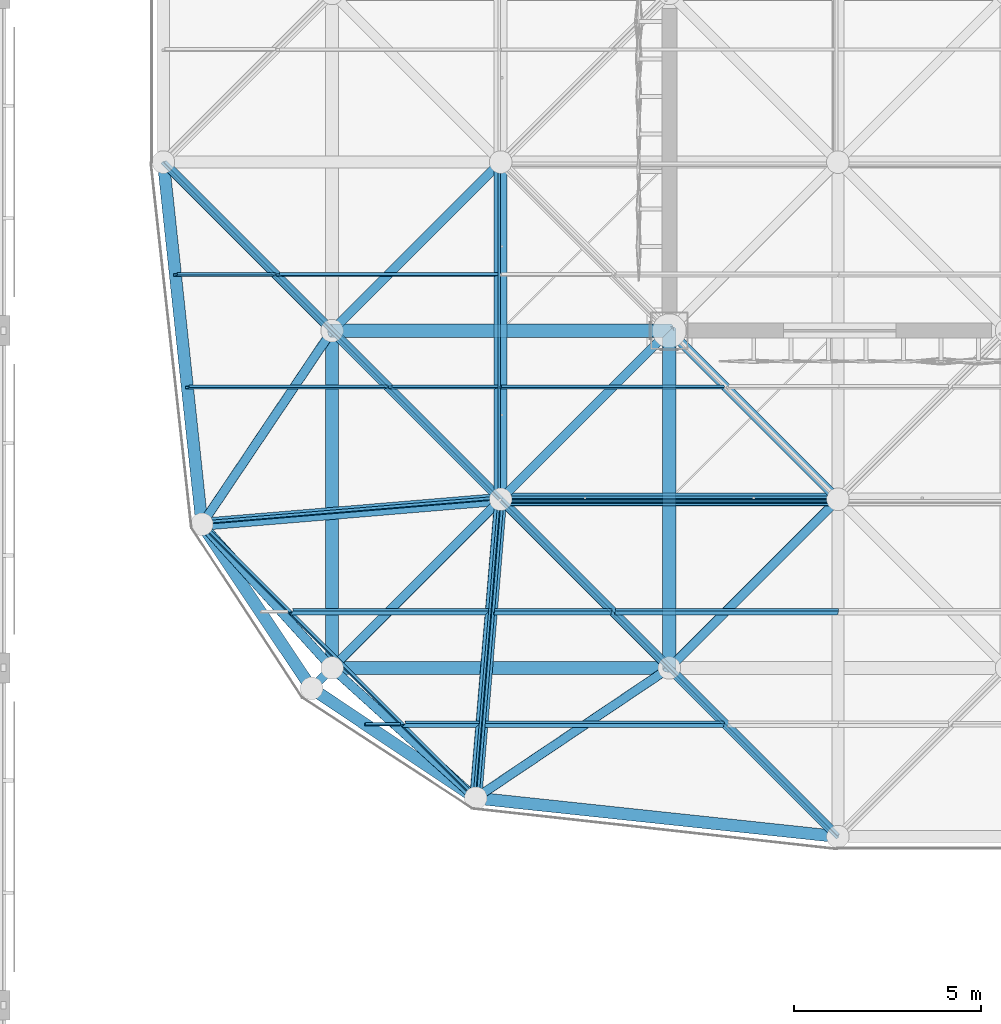
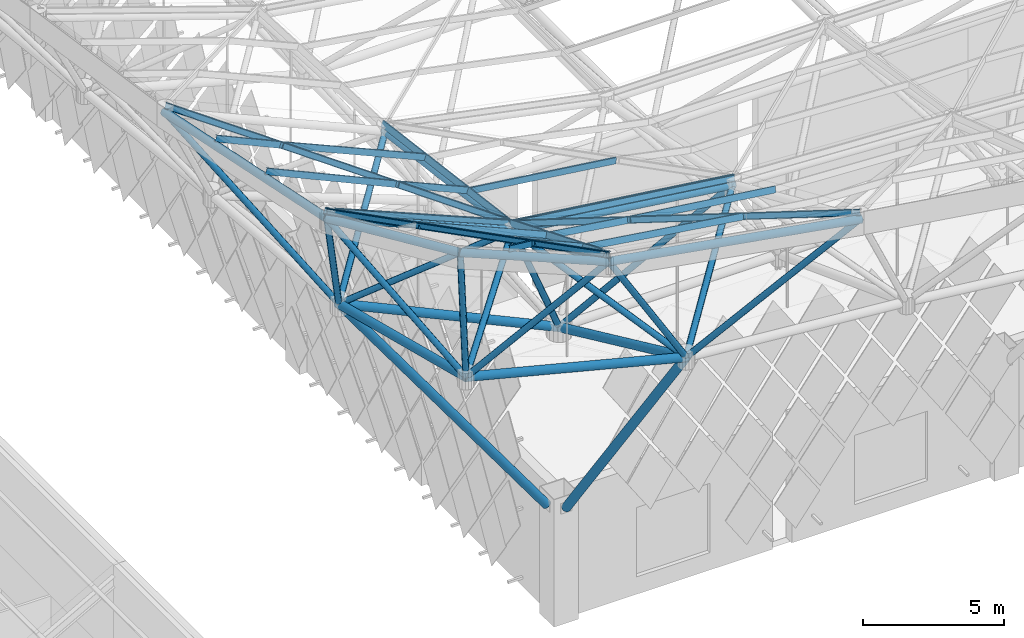
# One storey, part 46 of 437: 48 members.
"""IFC4 building model written with IfcOpenShell, lengths in metres."""

from ifc_helpers import new_model, si_unit, direction, frame, origin, origin_2d, place, context, subcontext, project, spatial, polyline, hollow_circle, outline, extrude, material, material_profile, profile_set, type_object, element, save


model = new_model("IFC4")

# Units and contexts
model_context = context("Model", 3, precision=1e-05, world=origin(), true_north=direction((0.0, 1.0)))
body_context = subcontext(model_context, "Body", "Model", "MODEL_VIEW")
ifc_project = project(units=[si_unit("LENGTHUNIT", "METRE"), si_unit("AREAUNIT", "SQUARE_METRE"), si_unit("VOLUMEUNIT", "CUBIC_METRE"), si_unit("PLANEANGLEUNIT", "RADIAN"), si_unit("MASSUNIT", "GRAM", prefix="KILO")], contexts=[model_context])

# Site, building, storey
site_placement = place(None, origin())
site = spatial("IfcSite", under=ifc_project, at=site_placement, CompositionType="ELEMENT")
building_placement = place(site_placement, origin())
building = spatial("IfcBuilding", under=site, at=building_placement, Name="Opaline Strait Convention Centre", CompositionType="ELEMENT")
storey_placement = place(building_placement, frame((0.0, 0.0, 11.5)))
storey = spatial("IfcBuildingStorey", under=building, at=storey_placement, Name="L02", CompositionType="ELEMENT", Elevation=11.5)

# Members
ifc_material = material(Name="Steel Q355B", Category="steel")
ifc_material_profile_1 = material_profile(ifc_material, hollow_circle(Radius=0.175537109375, WallThickness=0.01611328125, at=origin_2d()), Name="CHS 351x16")
ifc_profile_set_1 = profile_set([ifc_material_profile_1], Name="Steel Q355B")
member_type_1 = type_object("IfcMemberType", Name="Raking prop CHS 351x16", PredefinedType="BRACE", material=ifc_profile_set_1)
for number, where, z_axis, x_axis, name in (
    (1, (99.0, 53.48388671875, 5.02197265625), (0.0, -0.58919697761, 0.807989431599), (1.0, 0.0, 0.0), "Raking prop 99/54 S"),
    (2, (98.48388671875, 54.0, 5.02197265625), (-0.58919697761, 0.0, 0.807989431599), (0.0, -1.0, 0.0), "Raking prop 99/54 W"),
):
    element("IfcMember", number, at=place(storey_placement, frame(where, z_axis=z_axis, x_axis=x_axis)), inside=storey, type_object=member_type_1, Name=name, PredefinedType="BRACE", context=body_context, shape_type="SweptSolid", body=[
        extrude(hollow_circle(Radius=0.175537109375, WallThickness=0.01611328125, at=origin_2d()), origin(), (0.0, 0.0, 1.0), 14.44921875),
    ])
ifc_material_profile_2 = material_profile(ifc_material, outline(polyline([(-0.03759765625, -0.125), (0.03759765625, -0.125), (0.03759765625, -0.10498046875), (0.034912109375, -0.10498046875), (0.034912109375, -0.12255859375), (-0.034912109375, -0.12255859375), (-0.034912109375, 0.12255859375), (0.034912109375, 0.12255859375), (0.034912109375, 0.10498046875), (0.03759765625, 0.10498046875), (0.03759765625, 0.125), (-0.03759765625, 0.125), (-0.03759765625, -0.125)])), Name="C 250x75x20x2.5")
ifc_profile_set_2 = profile_set([ifc_material_profile_2], Name="Steel Q355B")
member_type_2 = type_object("IfcMemberType", Name="Roof purlin C 250x75x20x2.5", PredefinedType="PURLIN", material=ifc_profile_set_2)
member_1_placement = place(storey_placement, frame((93.833740234375, 41.527587890625, 24.986328125), z_axis=(-0.707106781187, 0.707106781187, 0.0), x_axis=(-0.699649356135, -0.699649356135, 0.144850118812)))
element("IfcMember", 3, at=member_1_placement, inside=storey, type_object=member_type_2, Name="EXB-RF-F-0-0", PredefinedType="PURLIN", context=body_context, shape_type="SweptSolid", body=[
    extrude(outline(polyline([(-0.03759765625, -0.125), (0.03759765625, -0.125), (0.03759765625, -0.10498046875), (0.034912109375, -0.10498046875), (0.034912109375, -0.12255859375), (-0.034912109375, -0.12255859375), (-0.034912109375, 0.12255859375), (0.034912109375, 0.12255859375), (0.034912109375, 0.10498046875), (0.03759765625, 0.10498046875), (0.03759765625, 0.125), (-0.03759765625, 0.125), (-0.03759765625, -0.125)])), origin(), (0.0, 0.0, 1.0), 10.33251953125),
])
member_2_placement = place(storey_placement, frame((94.424072265625, 49.556396484375, 21.2900390625), z_axis=(-0.075516163138, -0.903652154116, 0.421556749995), x_axis=(0.926866293842, -0.21951530941, -0.304519132854)))
element("IfcMember", 4, at=member_2_placement, inside=storey, type_object=member_type_2, Name="EXB-RF-E-0-0a", PredefinedType="PURLIN", context=body_context, shape_type="SweptSolid", body=[
    extrude(outline(polyline([(-0.03759765625, -0.125), (0.03759765625, -0.125), (0.03759765625, -0.10498046875), (0.034912109375, -0.10498046875), (0.034912109375, -0.12255859375), (-0.034912109375, -0.12255859375), (-0.034912109375, 0.12255859375), (0.034912109375, 0.12255859375), (0.034912109375, 0.10498046875), (0.03759765625, 0.10498046875), (0.03759765625, 0.125), (-0.03759765625, 0.125), (-0.03759765625, -0.125)])), origin(), (0.0, 0.0, 1.0), 8.9326171875),
])
member_3_placement = place(storey_placement, frame((91.911376953125, 43.5, 24.97802734375), z_axis=(0.918467273265, 0.0, -0.395496988537), x_axis=(-0.156386969325, 0.918500910826, -0.363179284427)))
element("IfcMember", 5, at=member_3_placement, inside=storey, type_object=member_type_2, Name="EXB-RF-P-0-0-0a", PredefinedType="PURLIN", context=body_context, shape_type="SweptSolid", body=[
    extrude(outline(polyline([(-0.03759765625, -0.125), (0.03759765625, -0.125), (0.03759765625, -0.10498046875), (0.034912109375, -0.10498046875), (0.034912109375, -0.12255859375), (-0.034912109375, -0.12255859375), (-0.034912109375, 0.12255859375), (0.034912109375, 0.12255859375), (0.034912109375, 0.10498046875), (0.03759765625, 0.10498046875), (0.03759765625, 0.125), (-0.03759765625, 0.125), (-0.03759765625, -0.125)])), origin(), (0.0, 0.0, 1.0), 2.14697265625),
])
member_4_placement = place(storey_placement, frame((88.911376953125, 46.5, 24.97802734375), z_axis=(0.918490841308, 0.0, -0.395442251704), x_axis=(-0.156365325348, 0.918500910826, -0.363188603676)))
element("IfcMember", 6, at=member_4_placement, inside=storey, type_object=member_type_2, Name="EXB-RF-P-0-0-1a", PredefinedType="PURLIN", context=body_context, shape_type="SweptSolid", body=[
    extrude(outline(polyline([(-0.03759765625, -0.125), (0.03759765625, -0.125), (0.03759765625, -0.10498046875), (0.034912109375, -0.10498046875), (0.034912109375, -0.12255859375), (-0.034912109375, -0.12255859375), (-0.034912109375, 0.12255859375), (0.034912109375, 0.12255859375), (0.034912109375, 0.10498046875), (0.03759765625, 0.10498046875), (0.03759765625, 0.125), (-0.03759765625, 0.125), (-0.03759765625, -0.125)])), origin(), (0.0, 0.0, 1.0), 5.68603515625),
])
member_5_placement = place(storey_placement, frame((90.8818359375, 43.5, 25.087646484375), z_axis=(0.994687182031, 0.0, -0.102943722017), x_axis=(-0.010599718065, 0.994684861285, -0.102419103235)))
element("IfcMember", 7, at=member_5_placement, inside=storey, type_object=member_type_2, Name="EXB-RF-P-0-0-0b", PredefinedType="PURLIN", context=body_context, shape_type="SweptSolid", body=[
    extrude(outline(polyline([(-0.03759765625, -0.125), (0.03759765625, -0.125), (0.03759765625, -0.10498046875), (0.034912109375, -0.10498046875), (0.034912109375, -0.12255859375), (-0.034912109375, -0.12255859375), (-0.034912109375, 0.12255859375), (0.034912109375, 0.12255859375), (0.034912109375, 0.10498046875), (0.03759765625, 0.10498046875), (0.03759765625, 0.125), (-0.03759765625, 0.125), (-0.03759765625, -0.125)])), origin(), (0.0, 0.0, 1.0), 0.934326171875),
])
member_6_placement = place(storey_placement, frame((103.5, 40.5, 24.05810546875), z_axis=(-0.690740022732, 0.690740022732, -0.213907554783), x_axis=(-0.713355387204, -0.602521591585, 0.357899180246)))
element("IfcMember", 8, at=member_6_placement, inside=storey, type_object=member_type_2, Name="EXB-RF-F-1-0", PredefinedType="PURLIN", context=body_context, shape_type="SweptSolid", body=[
    extrude(outline(polyline([(-0.03759765625, -0.125), (0.03759765625, -0.125), (0.03759765625, -0.10498046875), (0.034912109375, -0.10498046875), (0.034912109375, -0.12255859375), (-0.034912109375, -0.12255859375), (-0.034912109375, 0.12255859375), (0.034912109375, 0.12255859375), (0.034912109375, 0.10498046875), (0.03759765625, 0.10498046875), (0.03759765625, 0.125), (-0.03759765625, 0.125), (-0.03759765625, -0.125)])), origin(), (0.0, 0.0, 1.0), 13.029541015625),
])
member_7_placement = place(storey_placement, frame((103.550048828125, 49.412109375, 20.131591796875), z_axis=(-0.991630499032, 0.0, 0.129108301009), x_axis=(0.051618787349, -0.916598046716, 0.39646377079)))
element("IfcMember", 9, at=member_7_placement, inside=storey, type_object=member_type_2, Name="EXB-RF-E-1-0a", PredefinedType="PURLIN", context=body_context, shape_type="SweptSolid", body=[
    extrude(outline(polyline([(-0.03759765625, -0.125), (0.03759765625, -0.125), (0.03759765625, -0.10498046875), (0.034912109375, -0.10498046875), (0.034912109375, -0.12255859375), (-0.034912109375, -0.12255859375), (-0.034912109375, 0.12255859375), (0.034912109375, 0.12255859375), (0.034912109375, 0.10498046875), (0.03759765625, 0.10498046875), (0.03759765625, 0.125), (-0.03759765625, 0.125), (-0.03759765625, -0.125)])), origin(), (0.0, 0.0, 1.0), 9.177001953125),
])
member_8_placement = place(storey_placement, frame((97.550048828125, 46.5, 22.193603515625), z_axis=(0.99163078707, 0.0, -0.129106088686), x_axis=(-0.051983230784, 0.915358568875, -0.39926987628)))
element("IfcMember", 10, at=member_8_placement, inside=storey, type_object=member_type_2, Name="EXB-RF-P-1-0-1a", PredefinedType="PURLIN", context=body_context, shape_type="SweptSolid", body=[
    extrude(outline(polyline([(-0.03759765625, -0.125), (0.03759765625, -0.125), (0.03759765625, -0.10498046875), (0.034912109375, -0.10498046875), (0.034912109375, -0.12255859375), (-0.034912109375, -0.12255859375), (-0.034912109375, 0.12255859375), (0.034912109375, 0.12255859375), (0.034912109375, 0.10498046875), (0.03759765625, 0.10498046875), (0.03759765625, 0.125), (-0.03759765625, 0.125), (-0.03759765625, -0.125)])), origin(), (0.0, 0.0, 1.0), 6.000244140625),
])
member_9_placement = place(storey_placement, frame((94.5439453125, 49.54638671875, 21.244140625), z_axis=(-0.075517033196, -0.903662565532, 0.42153427542), x_axis=(0.988553259853, -0.123221130266, -0.087057483823)))
element("IfcMember", 11, at=member_9_placement, inside=storey, type_object=member_type_2, Name="EXB-RF-E-1-0b", PredefinedType="PURLIN", context=body_context, shape_type="SweptSolid", body=[
    extrude(outline(polyline([(-0.03759765625, -0.125), (0.03759765625, -0.125), (0.03759765625, -0.10498046875), (0.034912109375, -0.10498046875), (0.034912109375, -0.12255859375), (-0.034912109375, -0.12255859375), (-0.034912109375, 0.12255859375), (0.034912109375, 0.12255859375), (0.034912109375, 0.10498046875), (0.03759765625, 0.10498046875), (0.03759765625, 0.125), (-0.03759765625, 0.125), (-0.03759765625, -0.125)])), origin(), (0.0, 0.0, 1.0), 8.9326171875),
])
member_10_placement = place(storey_placement, frame((94.073486328125, 43.5, 24.0595703125), z_axis=(0.989688643151, 0.0, -0.143235434226), x_axis=(-0.059254277929, 0.91042030985, -0.409418844169)))
element("IfcMember", 12, at=member_10_placement, inside=storey, type_object=member_type_2, Name="EXB-RF-P-1-0-0b", PredefinedType="PURLIN", context=body_context, shape_type="SweptSolid", body=[
    extrude(outline(polyline([(-0.03759765625, -0.125), (0.03759765625, -0.125), (0.03759765625, -0.10498046875), (0.034912109375, -0.10498046875), (0.034912109375, -0.12255859375), (-0.034912109375, -0.12255859375), (-0.034912109375, 0.12255859375), (0.034912109375, 0.12255859375), (0.034912109375, 0.10498046875), (0.03759765625, 0.10498046875), (0.03759765625, 0.125), (-0.03759765625, 0.125), (-0.03759765625, -0.125)])), origin(), (0.0, 0.0, 1.0), 6.44287109375),
])
member_11_placement = place(storey_placement, frame((94.323974609375, 46.5, 22.66015625), z_axis=(0.989689677685, 0.0, -0.143228285907), x_axis=(-0.059251320781, 0.91042030985, -0.409419272139)))
element("IfcMember", 13, at=member_11_placement, inside=storey, type_object=member_type_2, Name="EXB-RF-P-1-0-1b", PredefinedType="PURLIN", context=body_context, shape_type="SweptSolid", body=[
    extrude(outline(polyline([(-0.03759765625, -0.125), (0.03759765625, -0.125), (0.03759765625, -0.10498046875), (0.034912109375, -0.10498046875), (0.034912109375, -0.12255859375), (-0.034912109375, -0.12255859375), (-0.034912109375, 0.12255859375), (0.034912109375, 0.12255859375), (0.034912109375, 0.10498046875), (0.03759765625, 0.10498046875), (0.03759765625, 0.125), (-0.03759765625, 0.125), (-0.03759765625, -0.125)])), origin(), (0.0, 0.0, 1.0), 3.158447265625),
])
member_12_placement = place(storey_placement, frame((94.5, 49.5, 21.278564453125), z_axis=(-0.690740022732, 0.690740022732, 0.213907554783), x_axis=(-0.602521591585, -0.713355387204, 0.357899180246)))
element("IfcMember", 14, at=member_12_placement, inside=storey, type_object=member_type_2, Name="EXB-RF-F-0-1", PredefinedType="PURLIN", context=body_context, shape_type="SweptSolid", body=[
    extrude(outline(polyline([(-0.03759765625, -0.125), (0.03759765625, -0.125), (0.03759765625, -0.10498046875), (0.034912109375, -0.10498046875), (0.034912109375, -0.12255859375), (-0.034912109375, -0.12255859375), (-0.034912109375, 0.12255859375), (0.034912109375, 0.12255859375), (0.034912109375, 0.10498046875), (0.03759765625, 0.10498046875), (0.03759765625, 0.125), (-0.03759765625, 0.125), (-0.03759765625, -0.125)])), origin(), (0.0, 0.0, 1.0), 13.029541015625),
])
member_13_placement = place(storey_placement, frame((94.412109375, 58.550048828125, 20.138916015625), z_axis=(0.0, -0.991630499032, 0.129108301009), x_axis=(0.916598046716, -0.051618787349, -0.39646377079)))
element("IfcMember", 15, at=member_13_placement, inside=storey, type_object=member_type_2, Name="EXB-RF-E-0-1a", PredefinedType="PURLIN", context=body_context, shape_type="SweptSolid", body=[
    extrude(outline(polyline([(-0.03759765625, -0.125), (0.03759765625, -0.125), (0.03759765625, -0.10498046875), (0.034912109375, -0.10498046875), (0.034912109375, -0.12255859375), (-0.034912109375, -0.12255859375), (-0.034912109375, 0.12255859375), (0.034912109375, 0.12255859375), (0.034912109375, 0.10498046875), (0.03759765625, 0.10498046875), (0.03759765625, 0.125), (-0.03759765625, 0.125), (-0.03759765625, -0.125)])), origin(), (0.0, 0.0, 1.0), 9.177001953125),
])
member_14_placement = place(storey_placement, frame((91.550048828125, 52.5, 22.18505859375), z_axis=(0.915362810246, 0.0, -0.402630010827), x_axis=(-0.051977528429, 0.991632228384, -0.118168778316)))
element("IfcMember", 16, at=member_14_placement, inside=storey, type_object=member_type_2, Name="EXB-RF-P-0-1-0a", PredefinedType="PURLIN", context=body_context, shape_type="SweptSolid", body=[
    extrude(outline(polyline([(-0.03759765625, -0.125), (0.03759765625, -0.125), (0.03759765625, -0.10498046875), (0.034912109375, -0.10498046875), (0.034912109375, -0.12255859375), (-0.034912109375, -0.12255859375), (-0.034912109375, 0.12255859375), (0.034912109375, 0.12255859375), (0.034912109375, 0.10498046875), (0.03759765625, 0.10498046875), (0.03759765625, 0.125), (-0.03759765625, 0.125), (-0.03759765625, -0.125)])), origin(), (0.0, 0.0, 1.0), 3.0888671875),
])
member_15_placement = place(storey_placement, frame((88.550048828125, 55.5, 23.1142578125), z_axis=(0.915348391742, 0.0, -0.402662789111), x_axis=(-0.051981759943, 0.991632228384, -0.118166916959)))
element("IfcMember", 17, at=member_15_placement, inside=storey, type_object=member_type_2, Name="EXB-RF-P-0-1-1a", PredefinedType="PURLIN", context=body_context, shape_type="SweptSolid", body=[
    extrude(outline(polyline([(-0.03759765625, -0.125), (0.03759765625, -0.125), (0.03759765625, -0.10498046875), (0.034912109375, -0.10498046875), (0.034912109375, -0.12255859375), (-0.034912109375, -0.12255859375), (-0.034912109375, 0.12255859375), (0.034912109375, 0.12255859375), (0.034912109375, 0.10498046875), (0.03759765625, 0.10498046875), (0.03759765625, 0.125), (-0.03759765625, 0.125), (-0.03759765625, -0.125)])), origin(), (0.0, 0.0, 1.0), 6.3662109375),
])
member_16_placement = place(storey_placement, frame((94.54638671875, 49.5439453125, 21.251953125), z_axis=(-0.903662565532, -0.075517033196, 0.42153427542), x_axis=(0.123221130266, -0.988553259853, 0.087057483823)))
element("IfcMember", 18, at=member_16_placement, inside=storey, type_object=member_type_2, Name="EXB-RF-E-0-1b", PredefinedType="PURLIN", context=body_context, shape_type="SweptSolid", body=[
    extrude(outline(polyline([(-0.03759765625, -0.125), (0.03759765625, -0.125), (0.03759765625, -0.10498046875), (0.034912109375, -0.10498046875), (0.034912109375, -0.12255859375), (-0.034912109375, -0.12255859375), (-0.034912109375, 0.12255859375), (0.034912109375, 0.12255859375), (0.034912109375, 0.10498046875), (0.03759765625, 0.10498046875), (0.03759765625, 0.125), (-0.03759765625, 0.125), (-0.03759765625, -0.125)])), origin(), (0.0, 0.0, 1.0), 8.9326171875),
])
member_17_placement = place(storey_placement, frame((86.137939453125, 52.5, 24.644287109375), z_axis=(0.91042951865, 0.0, -0.413664225635), x_axis=(-0.059241297029, 0.989692168796, -0.130383586967)))
element("IfcMember", 19, at=member_17_placement, inside=storey, type_object=member_type_2, Name="EXB-RF-P-0-1-0b", PredefinedType="PURLIN", context=body_context, shape_type="SweptSolid", body=[
    extrude(outline(polyline([(-0.03759765625, -0.125), (0.03759765625, -0.125), (0.03759765625, -0.10498046875), (0.034912109375, -0.10498046875), (0.034912109375, -0.12255859375), (-0.034912109375, -0.12255859375), (-0.034912109375, 0.12255859375), (0.034912109375, 0.12255859375), (0.034912109375, 0.10498046875), (0.03759765625, 0.10498046875), (0.03759765625, 0.125), (-0.03759765625, 0.125), (-0.03759765625, -0.125)])), origin(), (0.0, 0.0, 1.0), 5.834716796875),
])
member_18_placement = place(storey_placement, frame((85.81884765625, 55.5, 24.355224609375), z_axis=(0.910418545684, 0.0, -0.413688375078), x_axis=(-0.059244755496, 0.989692168796, -0.130382015517)))
element("IfcMember", 20, at=member_18_placement, inside=storey, type_object=member_type_2, Name="EXB-RF-P-0-1-1b", PredefinedType="PURLIN", context=body_context, shape_type="SweptSolid", body=[
    extrude(outline(polyline([(-0.03759765625, -0.125), (0.03759765625, -0.125), (0.03759765625, -0.10498046875), (0.034912109375, -0.10498046875), (0.034912109375, -0.12255859375), (-0.034912109375, -0.12255859375), (-0.034912109375, 0.12255859375), (0.034912109375, 0.12255859375), (0.034912109375, 0.10498046875), (0.03759765625, 0.10498046875), (0.03759765625, 0.125), (-0.03759765625, 0.125), (-0.03759765625, -0.125)])), origin(), (0.0, 0.0, 1.0), 2.889892578125),
])
member_19_placement = place(storey_placement, frame((103.550048828125, 49.5400390625, 20.08447265625), z_axis=(-0.991630499032, 0.0, 0.129108301009), x_axis=(0.016530030007, -0.991770001337, 0.126960712644)))
element("IfcMember", 21, at=member_19_placement, inside=storey, type_object=member_type_2, Name="EXB-RF-E-1-1b", PredefinedType="PURLIN", context=body_context, shape_type="SweptSolid", body=[
    extrude(outline(polyline([(-0.03759765625, -0.125), (0.03759765625, -0.125), (0.03759765625, -0.10498046875), (0.034912109375, -0.10498046875), (0.034912109375, -0.12255859375), (-0.034912109375, -0.12255859375), (-0.034912109375, 0.12255859375), (0.034912109375, 0.12255859375), (0.034912109375, 0.10498046875), (0.03759765625, 0.10498046875), (0.03759765625, 0.125), (-0.03759765625, 0.125), (-0.03759765625, -0.125)])), origin(), (0.0, 0.0, 1.0), 9.177001953125),
])
member_20_placement = place(storey_placement, frame((94.5, 52.5, 20.877197265625), z_axis=(0.991635995518, 0.0, -0.129066077624), x_axis=(-0.016661787593, 0.991632228384, -0.128015266529)))
element("IfcMember", 22, at=member_20_placement, inside=storey, type_object=member_type_2, Name="EXB-RF-P-1-1-0b", PredefinedType="PURLIN", context=body_context, shape_type="SweptSolid", body=[
    extrude(outline(polyline([(-0.03759765625, -0.125), (0.03759765625, -0.125), (0.03759765625, -0.10498046875), (0.034912109375, -0.10498046875), (0.034912109375, -0.12255859375), (-0.034912109375, -0.12255859375), (-0.034912109375, 0.12255859375), (0.034912109375, 0.12255859375), (0.034912109375, 0.10498046875), (0.03759765625, 0.10498046875), (0.03759765625, 0.125), (-0.03759765625, 0.125), (-0.03759765625, -0.125)])), origin(), (0.0, 0.0, 1.0), 6.000244140625),
])
ifc_material_profile_3 = material_profile(ifc_material, hollow_circle(Radius=0.175537109375, WallThickness=0.01611328125, at=origin_2d()), Name="CHS 351x16")
ifc_profile_set_3 = profile_set([ifc_material_profile_3], Name="Steel Q355B")
member_type_3 = type_object("IfcMemberType", Name="Space frame bottom chord CHS 351x16", PredefinedType="CHORD", material=ifc_profile_set_3)
member_21_placement = place(storey_placement, frame((89.95166015625, 45.0, 18.96435546875), z_axis=(0.968974979118, 0.0, -0.247158835253), x_axis=(0.0, 1.0, 0.0)))
element("IfcMember", 23, at=member_21_placement, inside=storey, type_object=member_type_3, Name="EXB-RF-BX-0-0", PredefinedType="CHORD", context=body_context, shape_type="SweptSolid", body=[
    extrude(hollow_circle(Radius=0.175537109375, WallThickness=0.01611328125, at=origin_2d()), origin(), (0.0, 0.0, 1.0), 9.387939453125),
])
member_22_placement = place(storey_placement, frame((89.95458984375, 54.0, 16.677490234375), z_axis=(0.907855885671, 0.0, -0.419282352183), x_axis=(0.0, 1.0, 0.0)))
element("IfcMember", 24, at=member_22_placement, inside=storey, type_object=member_type_3, Name="EXB-RF-BX-0-1", PredefinedType="CHORD", context=body_context, shape_type="SweptSolid", body=[
    extrude(hollow_circle(Radius=0.175537109375, WallThickness=0.01611328125, at=origin_2d()), origin(), (0.0, 0.0, 1.0), 10.013427734375),
])
member_23_placement = place(storey_placement, frame((90.0, 44.95166015625, 18.96435546875), z_axis=(0.0, 0.968974979118, -0.247158835253), x_axis=(-1.0, 0.0, 0.0)))
element("IfcMember", 25, at=member_23_placement, inside=storey, type_object=member_type_3, Name="EXB-RF-BY-0-0", PredefinedType="CHORD", context=body_context, shape_type="SweptSolid", body=[
    extrude(hollow_circle(Radius=0.175537109375, WallThickness=0.01611328125, at=origin_2d()), origin(), (0.0, 0.0, 1.0), 9.387939453125),
])
member_24_placement = place(storey_placement, frame((99.0, 44.95458984375, 16.677490234375), z_axis=(0.0, 0.907855885671, -0.419282352183), x_axis=(-1.0, 0.0, 0.0)))
element("IfcMember", 26, at=member_24_placement, inside=storey, type_object=member_type_3, Name="EXB-RF-BY-1-0", PredefinedType="CHORD", context=body_context, shape_type="SweptSolid", body=[
    extrude(hollow_circle(Radius=0.175537109375, WallThickness=0.01611328125, at=origin_2d()), origin(), (0.0, 0.0, 1.0), 10.013427734375),
])
ifc_material_profile_4 = material_profile(ifc_material, hollow_circle(Radius=0.16259765625, WallThickness=0.013916015625, at=origin_2d()), Name="CHS 325x14")
ifc_profile_set_4 = profile_set([ifc_material_profile_4], Name="Steel Q355B")
member_type_4 = type_object("IfcMemberType", Name="Space frame top chord CHS 325x14", PredefinedType="CHORD", material=ifc_profile_set_4)
for number, where, z_axis, x_axis, name in (
    (27, (89.41259765625, 44.48193359375, 24.851806640625), (0.83110196842, -0.555386538883, -0.028553642769), (0.555613083664, 0.83144097882, 0.0), "EXB-RF-TX-0-0"),
    (28, (89.48193359375, 44.41259765625, 24.851806640625), (-0.555386538883, 0.83110196842, -0.028553642769), (-0.83144097882, -0.555613083664, 0.0), "EXB-RF-TY-0-0"),
):
    element("IfcMember", number, at=place(storey_placement, frame(where, z_axis=z_axis, x_axis=x_axis)), inside=storey, type_object=member_type_4, Name=name, PredefinedType="CHORD", context=body_context, shape_type="SweptSolid", body=[
        extrude(hollow_circle(Radius=0.16259765625, WallThickness=0.013916015625, at=origin_2d()), origin(), (0.0, 0.0, 1.0), 5.36962890625),
    ])
ifc_material_profile_5 = material_profile(ifc_material, hollow_circle(Radius=0.16259765625, WallThickness=0.02001953125, at=origin_2d()), Name="CHS 325x20")
ifc_profile_set_5 = profile_set([ifc_material_profile_5], Name="Steel Q355B")
member_type_5 = type_object("IfcMemberType", Name="Space frame top chord CHS 325x20", PredefinedType="CHORD", material=ifc_profile_set_5)
member_25_placement = place(storey_placement, frame((93.7841796875, 41.532958984375, 24.704833984375), z_axis=(0.989856938619, -0.105249170228, -0.095424594498), x_axis=(0.105731659596, 0.994394698376, 0.0)))
element("IfcMember", 29, at=member_25_placement, inside=storey, type_object=member_type_5, Name="EXB-RF-TX-1-0", PredefinedType="CHORD", context=body_context, shape_type="SweptSolid", body=[
    extrude(hollow_circle(Radius=0.16259765625, WallThickness=0.02001953125, at=origin_2d()), origin(), (0.0, 0.0, 1.0), 9.865478515625),
])
member_26_placement = place(storey_placement, frame((86.482421875, 48.830078125, 24.720947265625), z_axis=(0.903666960961, 0.075494841644, -0.421528827664), x_axis=(-0.083252748903, 0.996528464119, 0.0)))
element("IfcMember", 30, at=member_26_placement, inside=storey, type_object=member_type_5, Name="EXB-RF-TX-0-1", PredefinedType="CHORD", context=body_context, shape_type="SweptSolid", body=[
    extrude(hollow_circle(Radius=0.16259765625, WallThickness=0.02001953125, at=origin_2d()), origin(), (0.0, 0.0, 1.0), 8.92236328125),
])
member_27_placement = place(storey_placement, frame((94.450439453125, 49.5, 20.987548828125), z_axis=(0.991632131326, 0.0, -0.129095763381), x_axis=(0.0, 1.0, 0.0)))
element("IfcMember", 31, at=member_27_placement, inside=storey, type_object=member_type_5, Name="EXB-RF-TX-1-1", PredefinedType="CHORD", context=body_context, shape_type="SweptSolid", body=[
    extrude(hollow_circle(Radius=0.16259765625, WallThickness=0.02001953125, at=origin_2d()), origin(), (0.0, 0.0, 1.0), 9.176025390625),
])
member_28_placement = place(storey_placement, frame((86.532958984375, 48.7841796875, 24.704833984375), z_axis=(-0.105249170228, 0.989856938619, -0.095424594498), x_axis=(-0.994394698376, -0.105731659596, 0.0)))
element("IfcMember", 32, at=member_28_placement, inside=storey, type_object=member_type_5, Name="EXB-RF-TY-0-1", PredefinedType="CHORD", context=body_context, shape_type="SweptSolid", body=[
    extrude(hollow_circle(Radius=0.16259765625, WallThickness=0.02001953125, at=origin_2d()), origin(), (0.0, 0.0, 1.0), 9.865478515625),
])
member_29_placement = place(storey_placement, frame((93.830078125, 41.482421875, 24.720947265625), z_axis=(0.075494841644, 0.903666960961, -0.421528827664), x_axis=(-0.996528464119, 0.083252748903, 0.0)))
element("IfcMember", 33, at=member_29_placement, inside=storey, type_object=member_type_5, Name="EXB-RF-TY-1-0", PredefinedType="CHORD", context=body_context, shape_type="SweptSolid", body=[
    extrude(hollow_circle(Radius=0.16259765625, WallThickness=0.02001953125, at=origin_2d()), origin(), (0.0, 0.0, 1.0), 8.92236328125),
])
member_30_placement = place(storey_placement, frame((94.5, 49.450439453125, 20.987548828125), z_axis=(0.0, 0.991632131326, -0.129095763381), x_axis=(-1.0, 0.0, 0.0)))
element("IfcMember", 34, at=member_30_placement, inside=storey, type_object=member_type_5, Name="EXB-RF-TY-1-1", PredefinedType="CHORD", context=body_context, shape_type="SweptSolid", body=[
    extrude(hollow_circle(Radius=0.16259765625, WallThickness=0.02001953125, at=origin_2d()), origin(), (0.0, 0.0, 1.0), 9.176025390625),
])
ifc_material_profile_6 = material_profile(ifc_material, hollow_circle(Radius=0.12255859375, WallThickness=0.011962890625, at=origin_2d()), Name="CHS 245x12")
ifc_profile_set_6 = profile_set([ifc_material_profile_6], Name="Steel Q355B")
member_type_6 = type_object("IfcMemberType", Name="Space frame web CHS 245x12", PredefinedType="BRACE", material=ifc_profile_set_6)
member_31_placement = place(storey_placement, frame((89.449462890625, 44.449462890625, 24.89990234375), z_axis=(0.091783840442, 0.091783840442, -0.991539940329), x_axis=(-0.707106781187, 0.707106781187, 0.0)))
element("IfcMember", 35, at=member_31_placement, inside=storey, type_object=member_type_6, Name="EXB-RF-W-0-0-00", PredefinedType="BRACE", context=body_context, shape_type="SweptSolid", body=[
    extrude(hollow_circle(Radius=0.12255859375, WallThickness=0.011962890625, at=origin_2d()), origin(), (0.0, 0.0, 1.0), 6.048828125),
])
for number, where, z_axis, x_axis, name in (
    (36, (86.505126953125, 48.858642578125, 24.737060546875), (0.449053467982, -0.495807143415, -0.743321101161), (0.741189063367, 0.671296337205, 0.0), "EXB-RF-W-0-0-01"),
    (37, (93.858642578125, 41.505126953125, 24.737060546875), (-0.495807143415, 0.449053467982, -0.743321101161), (-0.671296337205, -0.741189063367, 0.0), "EXB-RF-W-0-0-10"),
):
    element("IfcMember", number, at=place(storey_placement, frame(where, z_axis=z_axis, x_axis=x_axis)), inside=storey, type_object=member_type_6, Name=name, PredefinedType="BRACE", context=body_context, shape_type="SweptSolid", body=[
        extrude(hollow_circle(Radius=0.12255859375, WallThickness=0.011962890625, at=origin_2d()), origin(), (0.0, 0.0, 1.0), 7.832763671875),
    ])
member_32_placement = place(storey_placement, frame((94.53369140625, 49.53369140625, 20.996337890625), z_axis=(-0.673688980386, -0.673688980386, -0.303786628102), x_axis=(0.707106781187, -0.707106781187, 0.0)))
element("IfcMember", 38, at=member_32_placement, inside=storey, type_object=member_type_6, Name="EXB-RF-W-0-0-11", PredefinedType="BRACE", context=body_context, shape_type="SweptSolid", body=[
    extrude(hollow_circle(Radius=0.12255859375, WallThickness=0.011962890625, at=origin_2d()), origin(), (0.0, 0.0, 1.0), 6.779541015625),
])
member_33_placement = place(storey_placement, frame((86.510498046875, 48.808349609375, 24.739501953125), z_axis=(0.341413165258, 0.507948056004, -0.790838683292), x_axis=(-0.829947049924, 0.557842176895, 0.0)))
element("IfcMember", 39, at=member_33_placement, inside=storey, type_object=member_type_6, Name="EXB-RF-W-0-1-00", PredefinedType="BRACE", context=body_context, shape_type="SweptSolid", body=[
    extrude(hollow_circle(Radius=0.12255859375, WallThickness=0.011962890625, at=origin_2d()), origin(), (0.0, 0.0, 1.0), 10.270751953125),
])
member_34_placement = place(storey_placement, frame((85.476318359375, 58.523681640625, 23.805419921875), z_axis=(0.471540529524, -0.471540529524, -0.745183908866), x_axis=(0.707106781187, 0.707106781187, 0.0)))
element("IfcMember", 40, at=member_34_placement, inside=storey, type_object=member_type_6, Name="EXB-RF-W-0-1-01", PredefinedType="BRACE", context=body_context, shape_type="SweptSolid", body=[
    extrude(hollow_circle(Radius=0.12255859375, WallThickness=0.011962890625, at=origin_2d()), origin(), (0.0, 0.0, 1.0), 9.6435546875),
])
member_35_placement = place(storey_placement, frame((94.529296875, 49.470703125, 21.009033203125), z_axis=(-0.584861382304, 0.584861382304, -0.56202698065), x_axis=(-0.707106781187, -0.707106781187, 0.0)))
element("IfcMember", 41, at=member_35_placement, inside=storey, type_object=member_type_6, Name="EXB-RF-W-0-1-10", PredefinedType="BRACE", context=body_context, shape_type="SweptSolid", body=[
    extrude(hollow_circle(Radius=0.12255859375, WallThickness=0.011962890625, at=origin_2d()), origin(), (0.0, 0.0, 1.0), 7.79443359375),
])
member_36_placement = place(storey_placement, frame((94.53173828125, 58.53173828125, 19.83154296875), z_axis=(-0.63361366965, -0.63361366965, -0.443922780747), x_axis=(0.707106781187, -0.707106781187, 0.0)))
element("IfcMember", 42, at=member_36_placement, inside=storey, type_object=member_type_6, Name="EXB-RF-W-0-1-11", PredefinedType="BRACE", context=body_context, shape_type="SweptSolid", body=[
    extrude(hollow_circle(Radius=0.12255859375, WallThickness=0.011962890625, at=origin_2d()), origin(), (0.0, 0.0, 1.0), 7.202392578125),
])
member_37_placement = place(storey_placement, frame((93.808349609375, 41.510498046875, 24.739501953125), z_axis=(0.507948056004, 0.341413165258, -0.790838683292), x_axis=(-0.557842176895, 0.829947049924, 0.0)))
element("IfcMember", 43, at=member_37_placement, inside=storey, type_object=member_type_6, Name="EXB-RF-W-1-0-00", PredefinedType="BRACE", context=body_context, shape_type="SweptSolid", body=[
    extrude(hollow_circle(Radius=0.12255859375, WallThickness=0.011962890625, at=origin_2d()), origin(), (0.0, 0.0, 1.0), 10.270751953125),
])
member_38_placement = place(storey_placement, frame((94.470703125, 49.529296875, 21.009033203125), z_axis=(0.584861382304, -0.584861382304, -0.56202698065), x_axis=(0.707106781187, 0.707106781187, 0.0)))
element("IfcMember", 44, at=member_38_placement, inside=storey, type_object=member_type_6, Name="EXB-RF-W-1-0-01", PredefinedType="BRACE", context=body_context, shape_type="SweptSolid", body=[
    extrude(hollow_circle(Radius=0.12255859375, WallThickness=0.011962890625, at=origin_2d()), origin(), (0.0, 0.0, 1.0), 7.79443359375),
])
member_39_placement = place(storey_placement, frame((103.523681640625, 40.476318359375, 23.805419921875), z_axis=(-0.471540529524, 0.471540529524, -0.745183908866), x_axis=(-0.707106781187, -0.707106781187, 0.0)))
element("IfcMember", 45, at=member_39_placement, inside=storey, type_object=member_type_6, Name="EXB-RF-W-1-0-10", PredefinedType="BRACE", context=body_context, shape_type="SweptSolid", body=[
    extrude(hollow_circle(Radius=0.12255859375, WallThickness=0.011962890625, at=origin_2d()), origin(), (0.0, 0.0, 1.0), 9.6435546875),
])
member_40_placement = place(storey_placement, frame((103.53173828125, 49.53173828125, 19.83154296875), z_axis=(-0.63361366965, -0.63361366965, -0.443922780747), x_axis=(0.707106781187, -0.707106781187, 0.0)))
element("IfcMember", 46, at=member_40_placement, inside=storey, type_object=member_type_6, Name="EXB-RF-W-1-0-11", PredefinedType="BRACE", context=body_context, shape_type="SweptSolid", body=[
    extrude(hollow_circle(Radius=0.12255859375, WallThickness=0.011962890625, at=origin_2d()), origin(), (0.0, 0.0, 1.0), 7.202392578125),
])
member_41_placement = place(storey_placement, frame((94.478759765625, 49.478759765625, 21.02099609375), z_axis=(0.424401940737, 0.424401940737, -0.799853727501), x_axis=(-0.707106781187, 0.707106781187, 0.0)))
element("IfcMember", 47, at=member_41_placement, inside=storey, type_object=member_type_6, Name="EXB-RF-W-1-1-00", PredefinedType="BRACE", context=body_context, shape_type="SweptSolid", body=[
    extrude(hollow_circle(Radius=0.12255859375, WallThickness=0.011962890625, at=origin_2d()), origin(), (0.0, 0.0, 1.0), 10.703369140625),
])
member_42_placement = place(storey_placement, frame((103.523193359375, 49.476806640625, 19.84716796875), z_axis=(-0.464318393321, 0.464318393321, -0.754199482396), x_axis=(-0.707106781187, -0.707106781187, 0.0)))
element("IfcMember", 48, at=member_42_placement, inside=storey, type_object=member_type_6, Name="EXB-RF-W-1-1-10", PredefinedType="BRACE", context=body_context, shape_type="SweptSolid", body=[
    extrude(hollow_circle(Radius=0.12255859375, WallThickness=0.011962890625, at=origin_2d()), origin(), (0.0, 0.0, 1.0), 9.79150390625),
])

save(model, "model.ifc")
